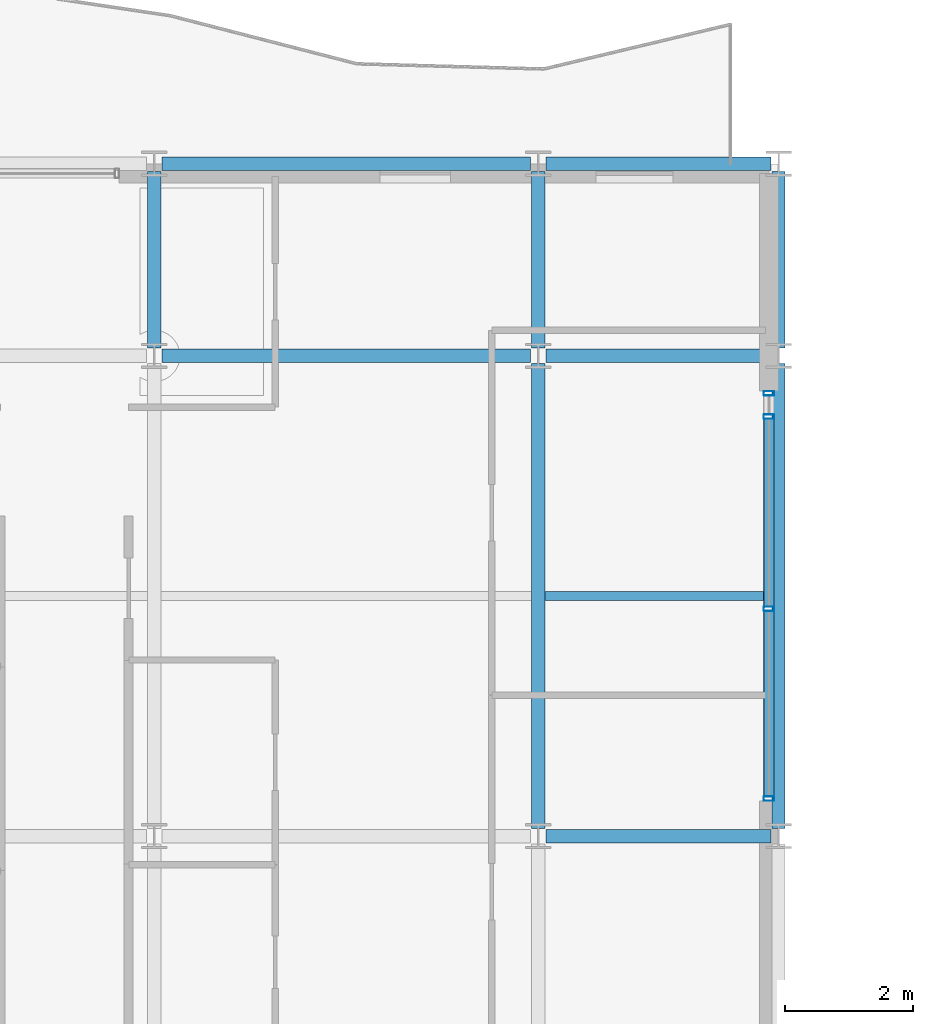
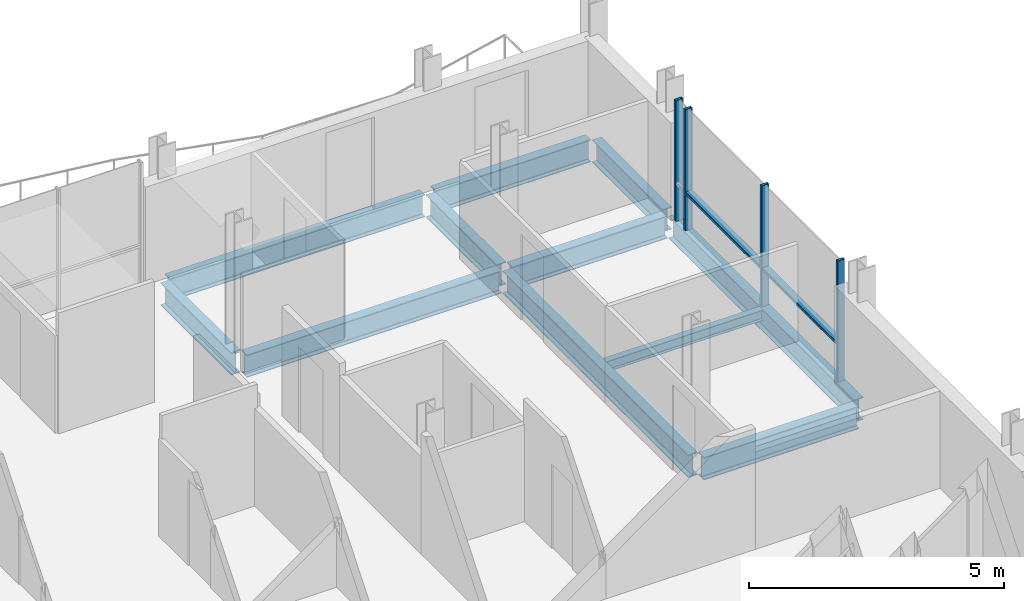
# One storey, part 8 of 27: 11 beams, 6 members, 1 element without a shape of its own.
"""IFC4 building model written with IfcOpenShell, lengths in metres."""

from ifc_helpers import new_model, si_unit, direction, frame, origin, origin_2d, place, context, subcontext, project, spatial, hollow_rectangle, i_section, extrude, material, layer, layer_set, material_profile, profile_set, type_object, element, aggregate, save


model = new_model("IFC4")

# Units and contexts
model_context = context("Model", 3, precision=1e-05, world=origin(), true_north=direction((0.0, 1.0)))
body_context = subcontext(model_context, "Body", "Model", "MODEL_VIEW")
ifc_project = project(units=[si_unit("LENGTHUNIT", "METRE"), si_unit("AREAUNIT", "SQUARE_METRE"), si_unit("VOLUMEUNIT", "CUBIC_METRE"), si_unit("PLANEANGLEUNIT", "RADIAN"), si_unit("MASSUNIT", "GRAM", prefix="KILO")], contexts=[model_context])

# Site, building, storey
site_placement = place(None, origin())
site = spatial("IfcSite", under=ifc_project, at=site_placement, CompositionType="ELEMENT")
building_placement = place(site_placement, origin())
building = spatial("IfcBuilding", under=site, at=building_placement, Name="Brevholm Reach", CompositionType="ELEMENT")
storey_placement = place(building_placement, frame((0.0, 0.0, 195.60009765625)))
storey = spatial("IfcBuildingStorey", under=building, at=storey_placement, Name="L59", CompositionType="ELEMENT", Elevation=195.60009765625)

# Beams
ifc_material_1 = material(Name="Structural Steel S355J2", Category="steel")
ifc_material_profile_1 = material_profile(ifc_material_1, i_section(OverallWidth=0.14599609375, OverallDepth=0.25146484375, WebThickness=0.006103515625, FlangeThickness=0.008544921875, FilletRadius=0.007568359375, at=origin_2d()), Name="UKB 254x146x31")
ifc_profile_set_1 = profile_set([ifc_material_profile_1], Name="Structural Steel S355J2")
beam_type_1 = type_object("IfcBeamType", Name="BM-B254", PredefinedType="BEAM", material=ifc_profile_set_1)
beam_1_placement = place(storey_placement, frame((18.10546875, 19.75, -0.335693359375), z_axis=(1.0, 0.0, 0.0), x_axis=(0.0, 1.0, 0.0)))
element("IfcBeam", 1, at=beam_1_placement, inside=storey, type_object=beam_type_1, Name="L59 Composite Secondary Floor Beam", PredefinedType="BEAM", context=body_context, shape_type="SweptSolid", body=[
    extrude(i_section(OverallWidth=0.14599609375, OverallDepth=0.25146484375, WebThickness=0.006103515625, FlangeThickness=0.008544921875, FilletRadius=0.007568359375, at=origin_2d()), origin(), (0.0, 0.0, 1.0), 3.539794921875),
])
ifc_material_2 = material(Name="Structural Steel S355J2", Category="steel")
ifc_material_profile_2 = material_profile(ifc_material_2, i_section(OverallWidth=0.209228515625, OverallDepth=0.533203125, WebThickness=0.010009765625, FlangeThickness=0.015625, FilletRadius=0.0126953125, at=origin_2d()), Name="UKB 533x210x92")
ifc_profile_set_2 = profile_set([ifc_material_profile_2], Name="Structural Steel S355J2")
beam_type_2 = type_object("IfcBeamType", Name="BM-SP533", PredefinedType="SPANDREL", material=ifc_profile_set_2)
beam_2_placement = place(storey_placement, frame((12.1201171875, 26.5, -0.4765625), z_axis=(1.0, 0.0, 0.0), x_axis=(0.0, 1.0, 0.0)))
element("IfcBeam", 2, at=beam_2_placement, inside=storey, type_object=beam_type_2, Name="L59 SP-02 Framing Beam", PredefinedType="SPANDREL", context=body_context, shape_type="SweptSolid", body=[
    extrude(i_section(OverallWidth=0.209228515625, OverallDepth=0.533203125, WebThickness=0.010009765625, FlangeThickness=0.015625, FilletRadius=0.0126953125, at=origin_2d()), origin(), (0.0, 0.0, 1.0), 5.759765625),
])
beam_3_placement = place(storey_placement, frame((18.1201171875, 26.5, -0.4765625), z_axis=(1.0, 0.0, 0.0), x_axis=(0.0, 1.0, 0.0)))
element("IfcBeam", 3, at=beam_3_placement, inside=storey, type_object=beam_type_2, Name="L59 SP-02 Framing Beam", PredefinedType="SPANDREL", context=body_context, shape_type="SweptSolid", body=[
    extrude(i_section(OverallWidth=0.209228515625, OverallDepth=0.533203125, WebThickness=0.010009765625, FlangeThickness=0.015625, FilletRadius=0.0126953125, at=origin_2d()), origin(), (0.0, 0.0, 1.0), 3.509765625),
])
beam_4_placement = place(storey_placement, frame((21.75, 16.1201171875, -0.4765625), z_axis=(0.0, 1.0, 0.0), x_axis=(-1.0, 0.0, 0.0)))
element("IfcBeam", 4, at=beam_4_placement, inside=storey, type_object=beam_type_2, Name="L59 SP-02 Framing Beam", PredefinedType="SPANDREL", context=body_context, shape_type="SweptSolid", body=[
    extrude(i_section(OverallWidth=0.209228515625, OverallDepth=0.533203125, WebThickness=0.010009765625, FlangeThickness=0.015625, FilletRadius=0.0126953125, at=origin_2d()), origin(), (0.0, 0.0, 1.0), 7.259765625),
])
beam_5_placement = place(storey_placement, frame((21.75, 23.6201171875, -0.4765625), z_axis=(0.0, 1.0, 0.0), x_axis=(-1.0, 0.0, 0.0)))
element("IfcBeam", 5, at=beam_5_placement, inside=storey, type_object=beam_type_2, Name="L59 SP-02 Framing Beam", PredefinedType="SPANDREL", context=body_context, shape_type="SweptSolid", body=[
    extrude(i_section(OverallWidth=0.209228515625, OverallDepth=0.533203125, WebThickness=0.010009765625, FlangeThickness=0.015625, FilletRadius=0.0126953125, at=origin_2d()), origin(), (0.0, 0.0, 1.0), 2.759765625),
])
ifc_material_3 = material(Name="Structural Steel S355J2", Category="steel")
ifc_material_profile_3 = material_profile(ifc_material_3, i_section(OverallWidth=0.210693359375, OverallDepth=0.53955078125, WebThickness=0.01171875, FlangeThickness=0.018798828125, FilletRadius=0.0126953125, at=origin_2d()), Name="UKB 533x210x109")
ifc_profile_set_3 = profile_set([ifc_material_profile_3], Name="Structural Steel S355J2")
beam_type_3 = type_object("IfcBeamType", Name="BM-SP539", PredefinedType="SPANDREL", material=ifc_profile_set_3)
beam_6_placement = place(storey_placement, frame((18.1201171875, 16.0, -0.479736328125), z_axis=(1.0, 0.0, 0.0), x_axis=(0.0, 1.0, 0.0)))
element("IfcBeam", 6, at=beam_6_placement, inside=storey, type_object=beam_type_3, Name="L59 SP-01B Framing Beam", PredefinedType="SPANDREL", context=body_context, shape_type="SweptSolid", body=[
    extrude(i_section(OverallWidth=0.210693359375, OverallDepth=0.53955078125, WebThickness=0.01171875, FlangeThickness=0.018798828125, FilletRadius=0.0126953125, at=origin_2d()), origin(), (0.0, 0.0, 1.0), 3.509765625),
])
beam_7_placement = place(storey_placement, frame((12.1201171875, 23.5, -0.479736328125), z_axis=(1.0, 0.0, 0.0), x_axis=(0.0, 1.0, 0.0)))
element("IfcBeam", 7, at=beam_7_placement, inside=storey, type_object=beam_type_3, Name="L59 SP-01B Framing Beam", PredefinedType="SPANDREL", context=body_context, shape_type="SweptSolid", body=[
    extrude(i_section(OverallWidth=0.210693359375, OverallDepth=0.53955078125, WebThickness=0.01171875, FlangeThickness=0.018798828125, FilletRadius=0.0126953125, at=origin_2d()), origin(), (0.0, 0.0, 1.0), 5.759765625),
])
beam_8_placement = place(storey_placement, frame((18.1201171875, 23.5, -0.479736328125), z_axis=(1.0, 0.0, 0.0), x_axis=(0.0, 1.0, 0.0)))
element("IfcBeam", 8, at=beam_8_placement, inside=storey, type_object=beam_type_3, Name="L59 SP-01B Framing Beam", PredefinedType="SPANDREL", context=body_context, shape_type="SweptSolid", body=[
    extrude(i_section(OverallWidth=0.210693359375, OverallDepth=0.53955078125, WebThickness=0.01171875, FlangeThickness=0.018798828125, FilletRadius=0.0126953125, at=origin_2d()), origin(), (0.0, 0.0, 1.0), 3.509765625),
])
beam_9_placement = place(storey_placement, frame((12.0, 23.6201171875, -0.479736328125), z_axis=(0.0, 1.0, 0.0), x_axis=(-1.0, 0.0, 0.0)))
element("IfcBeam", 9, at=beam_9_placement, inside=storey, type_object=beam_type_3, Name="L59 SP-01B Framing Beam", PredefinedType="SPANDREL", context=body_context, shape_type="SweptSolid", body=[
    extrude(i_section(OverallWidth=0.210693359375, OverallDepth=0.53955078125, WebThickness=0.01171875, FlangeThickness=0.018798828125, FilletRadius=0.0126953125, at=origin_2d()), origin(), (0.0, 0.0, 1.0), 2.759765625),
])
beam_10_placement = place(storey_placement, frame((18.0, 16.1201171875, -0.479736328125), z_axis=(0.0, 1.0, 0.0), x_axis=(-1.0, 0.0, 0.0)))
element("IfcBeam", 10, at=beam_10_placement, inside=storey, type_object=beam_type_3, Name="L59 SP-01B Framing Beam", PredefinedType="SPANDREL", context=body_context, shape_type="SweptSolid", body=[
    extrude(i_section(OverallWidth=0.210693359375, OverallDepth=0.53955078125, WebThickness=0.01171875, FlangeThickness=0.018798828125, FilletRadius=0.0126953125, at=origin_2d()), origin(), (0.0, 0.0, 1.0), 7.259765625),
])
beam_11_placement = place(storey_placement, frame((18.0, 23.6201171875, -0.479736328125), z_axis=(0.0, 1.0, 0.0), x_axis=(-1.0, 0.0, 0.0)))
element("IfcBeam", 11, at=beam_11_placement, inside=storey, type_object=beam_type_3, Name="L59 SP-01B Framing Beam", PredefinedType="SPANDREL", context=body_context, shape_type="SweptSolid", body=[
    extrude(i_section(OverallWidth=0.210693359375, OverallDepth=0.53955078125, WebThickness=0.01171875, FlangeThickness=0.018798828125, FilletRadius=0.0126953125, at=origin_2d()), origin(), (0.0, 0.0, 1.0), 2.759765625),
])

# Curtain wall, members
ifc_material_4 = material(Name="Dark Anodised Aluminium 6063-T6 and Solar-Control Glass", Category="aluminium")
ifc_layer = layer(ifc_material_4, 0.1650390625)
ifc_layer_set = layer_set([ifc_layer], Name="Dark Anodised Aluminium 6063-T6 and Solar-Control Glass")
curtain_wall_type = type_object("IfcCurtainWallType", Name="CW-04", PredefinedType="NOTDEFINED", material=ifc_layer_set)
curtain_wall_placement = place(storey_placement, origin())
curtain_wall = element("IfcCurtainWall", 12, at=curtain_wall_placement, inside=storey, type_object=curtain_wall_type, Name="L59 Curtain Wall CW-04", PredefinedType="NOTDEFINED")
ifc_material_5 = material(Name="Dark Anodised Aluminium 6063-T6", Category="aluminium")
ifc_material_profile_4 = material_profile(ifc_material_5, hollow_rectangle(XDim=0.070068359375, YDim=0.1650390625, WallThickness=0.0048828125, InnerFilletRadius=0.0048828125, OuterFilletRadius=0.010009765625, at=origin_2d()), Name="RHS 165x70x5")
ifc_profile_set_4 = profile_set([ifc_material_profile_4], Name="Dark Anodised Aluminium 6063-T6")
member_type_1 = type_object("IfcMemberType", Name="CWM-165", PredefinedType="MULLION", material=ifc_profile_set_4)
member_1_placement = place(storey_placement, frame((21.60009765625, 16.5849609375, 0.0), z_axis=(0.0, 0.0, 1.0), x_axis=(0.0, 1.0, 0.0)))
member_1 = element("IfcMember", 13, at=member_1_placement, type_object=member_type_1, Name="CM-165 Mullion 1", PredefinedType="MULLION", context=body_context, shape_type="SweptSolid", body=[
    extrude(hollow_rectangle(XDim=0.070068359375, YDim=0.1650390625, WallThickness=0.0048828125, InnerFilletRadius=0.0048828125, OuterFilletRadius=0.010009765625, at=origin_2d()), origin(), (0.0, 0.0, 1.0), 2.889892578125),
])
member_2_placement = place(storey_placement, frame((21.60009765625, 19.550048828125, 0.0), z_axis=(0.0, 0.0, 1.0), x_axis=(0.0, 1.0, 0.0)))
member_2 = element("IfcMember", 14, at=member_2_placement, type_object=member_type_1, Name="CM-165 Mullion 2", PredefinedType="MULLION", context=body_context, shape_type="SweptSolid", body=[
    extrude(hollow_rectangle(XDim=0.070068359375, YDim=0.1650390625, WallThickness=0.0048828125, InnerFilletRadius=0.0048828125, OuterFilletRadius=0.010009765625, at=origin_2d()), origin(), (0.0, 0.0, 1.0), 2.889892578125),
])
member_3_placement = place(storey_placement, frame((21.60009765625, 22.550048828125, 0.0), z_axis=(0.0, 0.0, 1.0), x_axis=(0.0, 1.0, 0.0)))
member_3 = element("IfcMember", 15, at=member_3_placement, type_object=member_type_1, Name="CM-165 Mullion 3", PredefinedType="MULLION", context=body_context, shape_type="SweptSolid", body=[
    extrude(hollow_rectangle(XDim=0.070068359375, YDim=0.1650390625, WallThickness=0.0048828125, InnerFilletRadius=0.0048828125, OuterFilletRadius=0.010009765625, at=origin_2d()), origin(), (0.0, 0.0, 1.0), 2.889892578125),
])
member_4_placement = place(storey_placement, frame((21.60009765625, 22.9150390625, 0.0), z_axis=(0.0, 0.0, 1.0), x_axis=(0.0, 1.0, 0.0)))
member_4 = element("IfcMember", 16, at=member_4_placement, type_object=member_type_1, Name="CM-165 Mullion 4", PredefinedType="MULLION", context=body_context, shape_type="SweptSolid", body=[
    extrude(hollow_rectangle(XDim=0.070068359375, YDim=0.1650390625, WallThickness=0.0048828125, InnerFilletRadius=0.0048828125, OuterFilletRadius=0.010009765625, at=origin_2d()), origin(), (0.0, 0.0, 1.0), 2.889892578125),
])
ifc_material_6 = material(Name="Dark Anodised Aluminium 6063-T6", Category="aluminium")
ifc_material_profile_5 = material_profile(ifc_material_6, hollow_rectangle(XDim=0.070068359375, YDim=0.1650390625, WallThickness=0.0048828125, InnerFilletRadius=0.0048828125, OuterFilletRadius=0.010009765625, at=origin_2d()), Name="RHS 165x70x5")
ifc_profile_set_5 = profile_set([ifc_material_profile_5], Name="Dark Anodised Aluminium 6063-T6")
member_type_2 = type_object("IfcMemberType", Name="CWT-165", PredefinedType="NOTDEFINED", material=ifc_profile_set_5)
member_5_placement = place(storey_placement, frame((21.60009765625, 16.6201171875, 0.89990234375), z_axis=(0.0, 1.0, 0.0), x_axis=(0.0, 0.0, 1.0)))
member_5 = element("IfcMember", 17, at=member_5_placement, type_object=member_type_2, Name="CT-165 Transom 1.1", ObjectType="TRANSOM", PredefinedType="USERDEFINED", context=body_context, shape_type="SweptSolid", body=[
    extrude(hollow_rectangle(XDim=0.070068359375, YDim=0.1650390625, WallThickness=0.0048828125, InnerFilletRadius=0.0048828125, OuterFilletRadius=0.010009765625, at=origin_2d()), origin(), (0.0, 0.0, 1.0), 2.894775390625),
])
member_6_placement = place(storey_placement, frame((21.60009765625, 19.5849609375, 0.89990234375), z_axis=(0.0, 1.0, 0.0), x_axis=(0.0, 0.0, 1.0)))
member_6 = element("IfcMember", 18, at=member_6_placement, type_object=member_type_2, Name="CT-165 Transom 2.1", ObjectType="TRANSOM", PredefinedType="USERDEFINED", context=body_context, shape_type="SweptSolid", body=[
    extrude(hollow_rectangle(XDim=0.070068359375, YDim=0.1650390625, WallThickness=0.0048828125, InnerFilletRadius=0.0048828125, OuterFilletRadius=0.010009765625, at=origin_2d()), origin(), (0.0, 0.0, 1.0), 2.929931640625),
])
aggregate(curtain_wall, [member_1, member_2, member_3, member_4, member_5, member_6])

save(model, "model.ifc")
